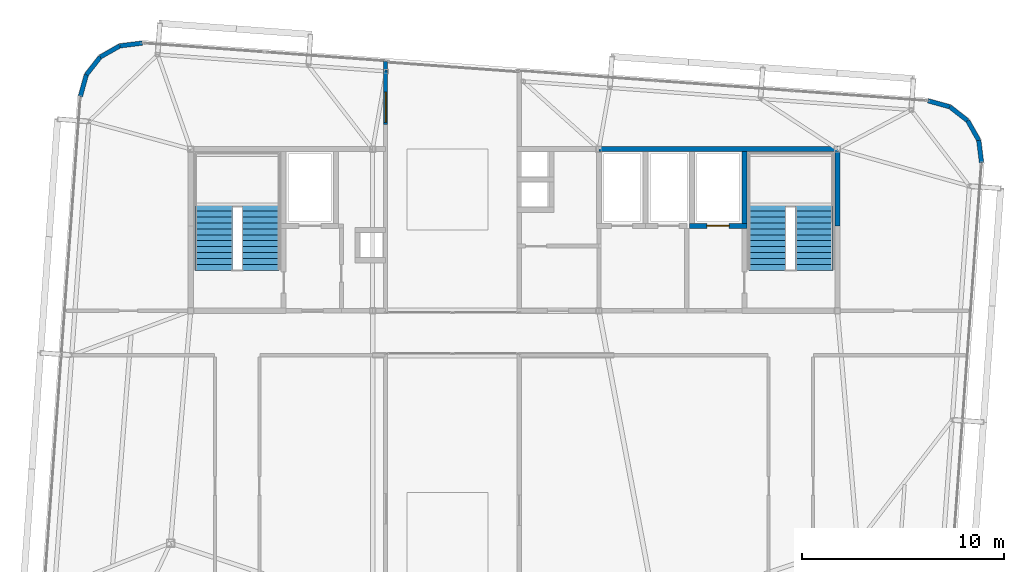
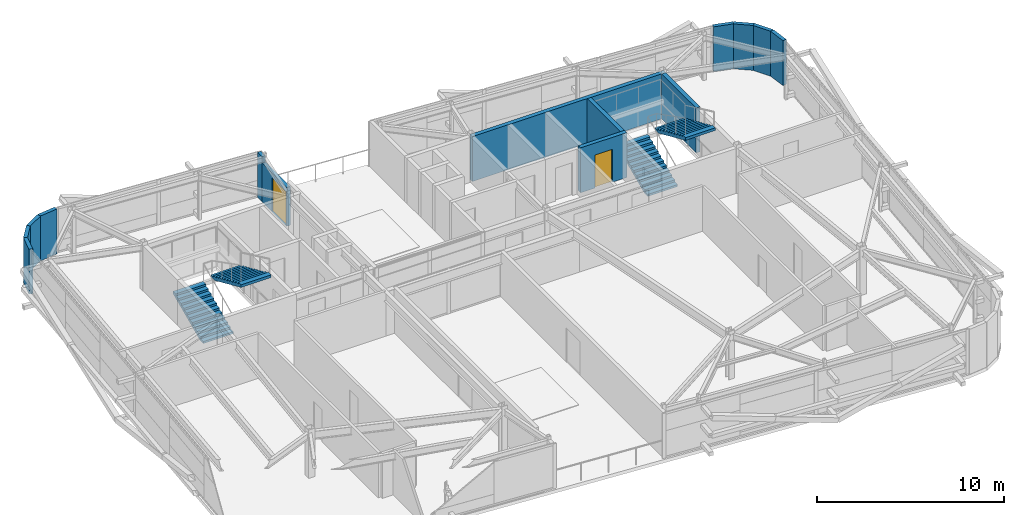
# One storey, part 34 of 36: 14 walls, 4 stair flights, 2 doors, 2 openings, 2 elements without a shape of their own.
"""IFC4 building model written with IfcOpenShell, lengths in metres."""

from ifc_helpers import new_model, si_unit, direction, frame, frame_2d, origin, place, context, subcontext, project, spatial, polyline, rectangle, outline, extrude, source, transform, mapped, material, layer, layer_set, type_object, element, fill, aggregate, save


model = new_model("IFC4")

# Units and contexts
model_context = context("Model", 3, precision=1e-05, world=origin(), true_north=direction((0.0, 1.0)))
body_context = subcontext(model_context, "Body", "Model", "MODEL_VIEW")
ifc_project = project(units=[si_unit("LENGTHUNIT", "METRE"), si_unit("AREAUNIT", "SQUARE_METRE"), si_unit("VOLUMEUNIT", "CUBIC_METRE"), si_unit("PLANEANGLEUNIT", "RADIAN"), si_unit("MASSUNIT", "GRAM", prefix="KILO")], contexts=[model_context])

# Site, building, storey
site_placement = place(None, origin())
site = spatial("IfcSite", under=ifc_project, at=site_placement, CompositionType="ELEMENT")
building_placement = place(site_placement, origin())
building = spatial("IfcBuilding", under=site, at=building_placement, Name="Taldren Reach Tower", CompositionType="ELEMENT")
storey_placement = place(building_placement, frame((0.0, 0.0, 227.14990234375)))
storey = spatial("IfcBuildingStorey", under=building, at=storey_placement, Name="L69", CompositionType="ELEMENT", Elevation=227.14990234375)

# Walls
ifc_material_1 = material(Name="Pale Champagne Anodised Aluminium Cladding", Category="aluminium")
ifc_layer_1 = layer(ifc_material_1, 0.04, Name="Pale Champagne Anodised Aluminium Cladding", Category="aluminium")
ifc_material_2 = material(Name="Mineral Wool Acoustic Insulation", Category="insulation")
ifc_layer_2 = layer(ifc_material_2, 0.06, Name="Mineral Wool Acoustic Insulation", Category="insulation")
ifc_material_3 = material(Name="Steel Gr 350 (C350L0)", Category="steel")
ifc_layer_3 = layer(ifc_material_3, 0.12, Name="Steel Gr 350 (C350L0)", Category="steel")
ifc_layer_set_1 = layer_set([ifc_layer_1, ifc_layer_2, ifc_layer_3], Name="Pale Champagne Aluminium Cladding and Steel Gr 350 Stud Framing")
wall_type_1 = type_object("IfcWallType", Name="EW-CRN-220", PredefinedType="SOLIDWALL", material=ifc_layer_set_1)
shared_shape_1 = source(origin(), body_context, "Body", "SweptSolid", [
    extrude(rectangle(XDim=1.115966796875, YDim=0.219970703125, at=frame_2d((0.55810546875, 0.0))), origin(), (0.0, 0.0, 1.0), 2.93017578125),
])
for number, where, z_axis, x_axis, name in (
    (1, (58.137451171875, 31.328125, 0.0), (0.0, 0.0, 1.0), (-0.122742076028, 0.992438604032, 0.0), "Rounded-corner pale-metal facade wall L69-NE1"),
    (2, (57.4501953125, 33.40625, 0.0), (0.0, 0.0, 1.0), (-0.788597772321, 0.614909386406, 0.0), "Rounded-corner pale-metal facade wall L69-NE3"),
    (3, (14.52099609375, 36.558837890625, 0.0), (0.0, 0.0, 1.0), (-0.614909386406, -0.788597772321, 0.0), "Rounded-corner pale-metal facade wall L69-NW3"),
):
    element("IfcWall", number, at=place(storey_placement, frame(where, z_axis=z_axis, x_axis=x_axis)), inside=storey, type_object=wall_type_1, Name=name, PredefinedType="SOLIDWALL", context=body_context, shape_type="MappedRepresentation", body=[
        mapped(shared_shape_1, transform((0.0, 0.0, 0.0), scale=1.0)),
    ])
shared_shape_2 = source(origin(), body_context, "Body", "SweptSolid", [
    extrude(rectangle(XDim=1.11572265625, YDim=0.219970703125, at=frame_2d((0.557861328125, 0.0))), origin(), (0.0, 0.0, 1.0), 2.93017578125),
])
for number, where, z_axis, x_axis, name in (
    (4, (58.00048828125, 32.435546875, 0.0), (0.0, 0.0, 1.0), (-0.493167138628, 0.869934579941, 0.0), "Rounded-corner pale-metal facade wall L69-NE2"),
    (5, (56.570068359375, 34.092529296875, 0.0), (0.0, 0.0, 1.0), (-0.963833843713, 0.266503886865, 0.0), "Rounded-corner pale-metal facade wall L69-NE4"),
    (6, (15.49169921875, 37.109130859375, 0.0), (0.0, 0.0, 1.0), (-0.869934579941, -0.493167138628, 0.0), "Rounded-corner pale-metal facade wall L69-NW2"),
    (7, (13.834716796875, 35.6787109375, 0.0), (0.0, 0.0, 1.0), (-0.266300605026, -0.963890028874, 0.0), "Rounded-corner pale-metal facade wall L69-NW4"),
):
    element("IfcWall", number, at=place(storey_placement, frame(where, z_axis=z_axis, x_axis=x_axis)), inside=storey, type_object=wall_type_1, Name=name, PredefinedType="SOLIDWALL", context=body_context, shape_type="MappedRepresentation", body=[
        mapped(shared_shape_2, transform((0.0, 0.0, 0.0), scale=1.0)),
    ])
shared_shape_3 = source(origin(), body_context, "Body", "SweptSolid", [
    extrude(rectangle(XDim=1.1162109375, YDim=0.219970703125, at=frame_2d((0.55810546875, 0.0))), origin(), (0.0, 0.0, 1.0), 2.93017578125),
])
wall_1_placement = place(storey_placement, frame((16.599365234375, 37.24609375, 0.0), z_axis=(0.0, 0.0, 1.0), x_axis=(-0.992441899189, -0.122715429897, 0.0)))
element("IfcWall", 8, at=wall_1_placement, inside=storey, type_object=wall_type_1, Name="Rounded-corner pale-metal facade wall L69-NW1", PredefinedType="SOLIDWALL", context=body_context, shape_type="MappedRepresentation", body=[
    mapped(shared_shape_3, transform((0.0, 0.0, 0.0), scale=1.0)),
])

# Wall, opening, door
shared_shape_4 = source(origin(), body_context, "Body", "SweptSolid", [
    extrude(rectangle(XDim=2.64306640625, YDim=0.219970703125, at=frame_2d((1.321533203125, 0.0))), origin(), (0.0, 0.0, 1.0), 2.524169921875),
])
wall_2_placement = place(storey_placement, frame((28.639892578125, 33.219970703125, 0.0), z_axis=(0.0, 0.0, 1.0), x_axis=(0.0, 1.0, 0.0)))
wall_2 = element("IfcWall", 9, at=wall_2_placement, inside=storey, type_object=wall_type_1, Name="Wind portal reveal wall L69-NW part 2", PredefinedType="SOLIDWALL", context=body_context, shape_type="MappedRepresentation", body=[
    mapped(shared_shape_4, transform((0.0, 0.0, 0.0), scale=1.0)),
])
shared_shape_5 = source(origin(), body_context, "Body", "SweptSolid", [
    extrude(rectangle(XDim=1.5, YDim=2.199951171875, at=frame_2d((0.75, 1.10009765625))), frame((0.0, 0.1201171875, 0.0), z_axis=(0.0, -1.0, 0.0), x_axis=(1.0, 0.0, 0.0)), (0.0, 0.0, 1.0), 0.239990234375),
])
opening_1_placement = place(wall_2_placement, frame((0.10009765625, 0.0, 0.0)))
opening_1 = element("IfcOpeningElement", 10, at=opening_1_placement, cuts=wall_2, Name="Opening ED-150", PredefinedType="OPENING", context=body_context, shape_type="MappedRepresentation", body=[
    mapped(shared_shape_5, transform((0.0, 0.0, 0.0), scale=1.0)),
])
ifc_material_4 = material(Name="Weatherproof Glazed Terrace Door")
door_type_1 = type_object("IfcDoorType", Name="ED-TERR-1500", OperationType="DOUBLE_DOOR_SINGLE_SWING", PredefinedType="DOOR", material=ifc_material_4)
shared_shape_6 = source(origin(), body_context, "Body", "SweptSolid", [
    extrude(rectangle(XDim=1.5, YDim=2.199951171875, at=frame_2d((0.75, 1.10009765625))), frame((0.0, 0.02490234375, 0.0), z_axis=(0.0, -1.0, 0.0), x_axis=(1.0, 0.0, 0.0)), (0.0, 0.0, 1.0), 0.050048828125),
])
door_1_placement = place(opening_1_placement, frame((1.5, 0.0, 0.0), z_axis=(0.0, 0.0, 1.0), x_axis=(-1.0, 0.0, 0.0)))
door_1 = element("IfcDoor", 11, at=door_1_placement, inside=storey, type_object=door_type_1, Name="Wind portal terrace access door L69-NW", OperationType="SINGLE_SWING_RIGHT", OverallHeight=2.199951171875, OverallWidth=1.5, PredefinedType="DOOR", context=body_context, shape_type="MappedRepresentation", body=[
    mapped(shared_shape_6, transform((0.0, 0.0, 0.0), scale=1.0)),
])
fill(opening_1, door_1)

# Walls
shared_shape_7 = source(origin(), body_context, "Body", "SweptSolid", [
    extrude(rectangle(XDim=0.49072265625, YDim=0.219970703125, at=frame_2d((0.245361328125, 0.0))), origin(), (0.0, 0.0, 1.0), 2.93017578125),
])
wall_3_placement = place(storey_placement, frame((28.639892578125, 35.863037109375, 0.0), z_axis=(0.0, 0.0, 1.0), x_axis=(0.0, 1.0, 0.0)))
element("IfcWall", 12, at=wall_3_placement, inside=storey, type_object=wall_type_1, Name="Wind portal reveal wall L69-NW part 3", PredefinedType="SOLIDWALL", context=body_context, shape_type="MappedRepresentation", body=[
    mapped(shared_shape_7, transform((0.0, 0.0, 0.0), scale=1.0)),
])
ifc_material_5 = material(Name="Concrete S65 (65 MPa)", Category="concrete")
ifc_layer_4 = layer(ifc_material_5, 0.25)
ifc_layer_set_2 = layer_set([ifc_layer_4], Name="Concrete S65 (65 MPa)")
wall_type_2 = type_object("IfcWallType", Name="IW-CORE-250", PredefinedType="SHEAR", material=ifc_layer_set_2)
shared_shape_8 = source(origin(), body_context, "Body", "SweptSolid", [
    extrude(rectangle(XDim=11.925048828125, YDim=0.25, at=frame_2d((5.96240234375, 0.0))), origin(), (0.0, 0.0, 1.0), 2.93017578125),
])
wall_4_placement = place(storey_placement, frame((39.199951171875, 32.0, 0.0), z_axis=(0.0, 0.0, 1.0), x_axis=(1.0, 0.0, 0.0)))
element("IfcWall", 13, at=wall_4_placement, inside=storey, type_object=wall_type_2, Name="Rear Core Shear Wall W-CORE-L69-NORTH4", PredefinedType="SHEAR", context=body_context, shape_type="MappedRepresentation", body=[
    mapped(shared_shape_8, transform((0.0, 0.0, 0.0), scale=1.0)),
])
shared_shape_9 = source(origin(), body_context, "Body", "SweptSolid", [
    extrude(rectangle(XDim=3.675048828125, YDim=0.25, at=frame_2d((1.83740234375, 0.0))), origin(), (0.0, 0.0, 1.0), 2.93017578125),
])
wall_5_placement = place(storey_placement, frame((51.0, 28.199951171875, 0.0), z_axis=(0.0, 0.0, 1.0), x_axis=(0.0, 1.0, 0.0)))
element("IfcWall", 14, at=wall_5_placement, inside=storey, type_object=wall_type_2, Name="Rear Core Shear Wall W-CORE-L69-EAST2", PredefinedType="SHEAR", context=body_context, shape_type="MappedRepresentation", body=[
    mapped(shared_shape_9, transform((0.0, 0.0, 0.0), scale=1.0)),
])
shared_shape_10 = source(origin(), body_context, "Body", "SweptSolid", [
    extrude(rectangle(XDim=3.550048828125, YDim=0.25, at=frame_2d((1.77490234375, 0.0))), origin(), (0.0, 0.0, 1.0), 2.93017578125),
])
wall_6_placement = place(storey_placement, frame((46.39990234375, 31.875, 0.0), z_axis=(0.0, 0.0, 1.0), x_axis=(0.0, -1.0, 0.0)))
element("IfcWall", 15, at=wall_6_placement, inside=storey, type_object=wall_type_2, Name="Rear Core Shear Wall W-INT-L69-008", PredefinedType="SHEAR", context=body_context, shape_type="MappedRepresentation", body=[
    mapped(shared_shape_10, transform((0.0, 0.0, 0.0), scale=1.0)),
])

# Wall, opening, door
shared_shape_11 = source(origin(), body_context, "Body", "SweptSolid", [
    extrude(rectangle(XDim=2.849853515625, YDim=0.25, at=frame_2d((1.4248046875, 0.0))), origin(), (0.0, 0.0, 1.0), 2.93017578125),
])
wall_7_placement = place(storey_placement, frame((43.675048828125, 28.199951171875, 0.0), z_axis=(0.0, 0.0, 1.0), x_axis=(1.0, 0.0, 0.0)))
wall_7 = element("IfcWall", 16, at=wall_7_placement, inside=storey, type_object=wall_type_2, Name="Rear Core Shear Wall W-INT-L69-011", PredefinedType="SHEAR", context=body_context, shape_type="MappedRepresentation", body=[
    mapped(shared_shape_11, transform((0.0, 0.0, 0.0), scale=1.0)),
])
shared_shape_12 = source(origin(), body_context, "Body", "SweptSolid", [
    extrude(rectangle(XDim=1.10009765625, YDim=2.14990234375, at=frame_2d((0.550048828125, 1.074951171875))), frame((0.0, 0.135009765625, 0.0), z_axis=(0.0, -1.0, 0.0), x_axis=(1.0, 0.0, 0.0)), (0.0, 0.0, 1.0), 0.27001953125),
])
opening_2_placement = place(wall_7_placement, frame((0.875, 0.0, 0.0)))
opening_2 = element("IfcOpeningElement", 17, at=opening_2_placement, cuts=wall_7, Name="Opening LD-FL2", PredefinedType="OPENING", context=body_context, shape_type="MappedRepresentation", body=[
    mapped(shared_shape_12, transform((0.0, 0.0, 0.0), scale=1.0)),
])
ifc_material_6 = material(Name="Stainless Steel Gr 316 Emergency Lift Landing Door", Category="steel")
door_type_2 = type_object("IfcDoorType", Name="LD-EMG-110", OperationType="SLIDING_TO_LEFT", PredefinedType="DOOR", material=ifc_material_6)
shared_shape_13 = source(origin(), body_context, "Body", "SweptSolid", [
    extrude(rectangle(XDim=1.10009765625, YDim=2.14990234375, at=frame_2d((0.550048828125, 1.074951171875))), frame((0.0, 0.02490234375, 0.0), z_axis=(0.0, -1.0, 0.0), x_axis=(1.0, 0.0, 0.0)), (0.0, 0.0, 1.0), 0.050048828125),
])
door_2_placement = place(opening_2_placement, origin())
door_2 = element("IfcDoor", 18, at=door_2_placement, inside=storey, type_object=door_type_2, Name="Lift Landing Door LD-FL2-L69", OperationType="SLIDING_TO_LEFT", OverallHeight=2.14990234375, OverallWidth=1.10009765625, PredefinedType="DOOR", context=body_context, shape_type="MappedRepresentation", body=[
    mapped(shared_shape_13, transform((0.0, 0.0, 0.0), scale=1.0)),
])
fill(opening_2, door_2)

# Stair, stair flights
ifc_material_7 = material(Name="Concrete S50 (50 MPa)", Category="concrete")
stair_type = type_object("IfcStairType", Name="ST-HT-315", PredefinedType="HALF_TURN_STAIR", material=ifc_material_7)
stair_1_placement = place(storey_placement, origin())
stair_1 = element("IfcStair", 19, at=stair_1_placement, inside=storey, type_object=stair_type, Name="Fire-isolated exit stair ST1 L69", PredefinedType="HALF_TURN_STAIR")
stair_flight_type = type_object("IfcStairFlightType", Name="SF-STR-315", PredefinedType="STRAIGHT", material=ifc_material_7)
stair_flight_1_placement = place(storey_placement, frame((20.139892578125, 25.989990234375, 0.0), z_axis=(0.0, 0.0, 1.0), x_axis=(0.0, 1.0, 0.0)))
stair_flight_1 = element("IfcStairFlight", 20, at=stair_flight_1_placement, type_object=stair_flight_type, Name="ST1 flight 1", NumberOfRisers=12, NumberOfTreads=11, PredefinedType="STRAIGHT", RiserHeight=0.13125, TreadLength=0.295, context=body_context, shape_type="SweptSolid", body=[
    extrude(outline(polyline([(0.0, 0.0), (0.0, 0.13134765625), (0.294921875, 0.13134765625), (0.294921875, 0.262451171875), (0.590087890625, 0.262451171875), (0.590087890625, 0.393798828125), (0.885009765625, 0.393798828125), (0.885009765625, 0.52490234375), (1.179931640625, 0.52490234375), (1.179931640625, 0.65625), (1.47509765625, 0.65625), (1.47509765625, 0.78759765625), (1.77001953125, 0.78759765625), (1.77001953125, 0.918701171875), (2.06494140625, 0.918701171875), (2.06494140625, 1.050048828125), (2.360107421875, 1.050048828125), (2.360107421875, 1.18115234375), (2.655029296875, 1.18115234375), (2.655029296875, 1.3125), (2.949951171875, 1.3125), (2.949951171875, 1.44384765625), (3.2451171875, 1.44384765625), (3.2451171875, 1.574951171875), (3.2451171875, 1.268798828125), (0.393310546875, 0.0), (0.0, 0.0)])), frame((0.0, 0.919921875, 0.0), z_axis=(0.0, -1.0, 0.0), x_axis=(1.0, 0.0, 0.0)), (0.0, 0.0, 1.0), 1.840087890625),
])
stair_flight_2_placement = place(storey_placement, frame((22.4599609375, 29.235107421875, 1.5751953125), z_axis=(0.0, 0.0, 1.0), x_axis=(0.0, -1.0, 0.0)))
stair_flight_2 = element("IfcStairFlight", 21, at=stair_flight_2_placement, type_object=stair_flight_type, Name="ST1 flight 2", NumberOfRisers=12, NumberOfTreads=11, PredefinedType="STRAIGHT", RiserHeight=0.13125, TreadLength=0.295, context=body_context, shape_type="SweptSolid", body=[
    extrude(outline(polyline([(0.0, 0.0), (0.0, 0.13134765625), (0.294921875, 0.13134765625), (0.294921875, 0.262451171875), (0.590087890625, 0.262451171875), (0.590087890625, 0.393798828125), (0.885009765625, 0.393798828125), (0.885009765625, 0.52490234375), (1.179931640625, 0.52490234375), (1.179931640625, 0.65625), (1.47509765625, 0.65625), (1.47509765625, 0.78759765625), (1.77001953125, 0.78759765625), (1.77001953125, 0.918701171875), (2.06494140625, 0.918701171875), (2.06494140625, 1.050048828125), (2.360107421875, 1.050048828125), (2.360107421875, 1.18115234375), (2.655029296875, 1.18115234375), (2.655029296875, 1.3125), (2.949951171875, 1.3125), (2.949951171875, 1.44384765625), (3.2451171875, 1.44384765625), (3.2451171875, 1.574951171875), (3.2451171875, 1.268798828125), (0.393310546875, 0.0), (0.0, 0.0)])), frame((0.0, 0.919921875, 0.0), z_axis=(0.0, -1.0, 0.0), x_axis=(1.0, 0.0, 0.0)), (0.0, 0.0, 1.0), 1.840087890625),
])
aggregate(stair_1, [stair_flight_1, stair_flight_2])

stair_2_placement = place(storey_placement, origin())
stair_2 = element("IfcStair", 22, at=stair_2_placement, inside=storey, type_object=stair_type, Name="Fire-isolated exit stair ST2 L69", PredefinedType="HALF_TURN_STAIR")
stair_flight_3_placement = place(storey_placement, frame((47.5400390625, 25.989990234375, 0.0), z_axis=(0.0, 0.0, 1.0), x_axis=(0.0, 1.0, 0.0)))
stair_flight_3 = element("IfcStairFlight", 23, at=stair_flight_3_placement, type_object=stair_flight_type, Name="ST2 flight 1", NumberOfRisers=12, NumberOfTreads=11, PredefinedType="STRAIGHT", RiserHeight=0.13125, TreadLength=0.295, context=body_context, shape_type="SweptSolid", body=[
    extrude(outline(polyline([(0.0, 0.0), (0.0, 0.13134765625), (0.294921875, 0.13134765625), (0.294921875, 0.262451171875), (0.590087890625, 0.262451171875), (0.590087890625, 0.393798828125), (0.885009765625, 0.393798828125), (0.885009765625, 0.52490234375), (1.179931640625, 0.52490234375), (1.179931640625, 0.65625), (1.47509765625, 0.65625), (1.47509765625, 0.78759765625), (1.77001953125, 0.78759765625), (1.77001953125, 0.918701171875), (2.06494140625, 0.918701171875), (2.06494140625, 1.050048828125), (2.360107421875, 1.050048828125), (2.360107421875, 1.18115234375), (2.655029296875, 1.18115234375), (2.655029296875, 1.3125), (2.949951171875, 1.3125), (2.949951171875, 1.44384765625), (3.2451171875, 1.44384765625), (3.2451171875, 1.574951171875), (3.2451171875, 1.268798828125), (0.393310546875, 0.0), (0.0, 0.0)])), frame((0.0, 0.919921875, 0.0), z_axis=(0.0, -1.0, 0.0), x_axis=(1.0, 0.0, 0.0)), (0.0, 0.0, 1.0), 1.840087890625),
])
stair_flight_4_placement = place(storey_placement, frame((49.860107421875, 29.235107421875, 1.5751953125), z_axis=(0.0, 0.0, 1.0), x_axis=(0.0, -1.0, 0.0)))
stair_flight_4 = element("IfcStairFlight", 24, at=stair_flight_4_placement, type_object=stair_flight_type, Name="ST2 flight 2", NumberOfRisers=12, NumberOfTreads=11, PredefinedType="STRAIGHT", RiserHeight=0.13125, TreadLength=0.295, context=body_context, shape_type="SweptSolid", body=[
    extrude(outline(polyline([(0.0, 0.0), (0.0, 0.13134765625), (0.294921875, 0.13134765625), (0.294921875, 0.262451171875), (0.590087890625, 0.262451171875), (0.590087890625, 0.393798828125), (0.885009765625, 0.393798828125), (0.885009765625, 0.52490234375), (1.179931640625, 0.52490234375), (1.179931640625, 0.65625), (1.47509765625, 0.65625), (1.47509765625, 0.78759765625), (1.77001953125, 0.78759765625), (1.77001953125, 0.918701171875), (2.06494140625, 0.918701171875), (2.06494140625, 1.050048828125), (2.360107421875, 1.050048828125), (2.360107421875, 1.18115234375), (2.655029296875, 1.18115234375), (2.655029296875, 1.3125), (2.949951171875, 1.3125), (2.949951171875, 1.44384765625), (3.2451171875, 1.44384765625), (3.2451171875, 1.574951171875), (3.2451171875, 1.268798828125), (0.393310546875, 0.0), (0.0, 0.0)])), frame((0.0, 0.919921875, 0.0), z_axis=(0.0, -1.0, 0.0), x_axis=(1.0, 0.0, 0.0)), (0.0, 0.0, 1.0), 1.840087890625),
])
aggregate(stair_2, [stair_flight_3, stair_flight_4])

save(model, "model.ifc")
